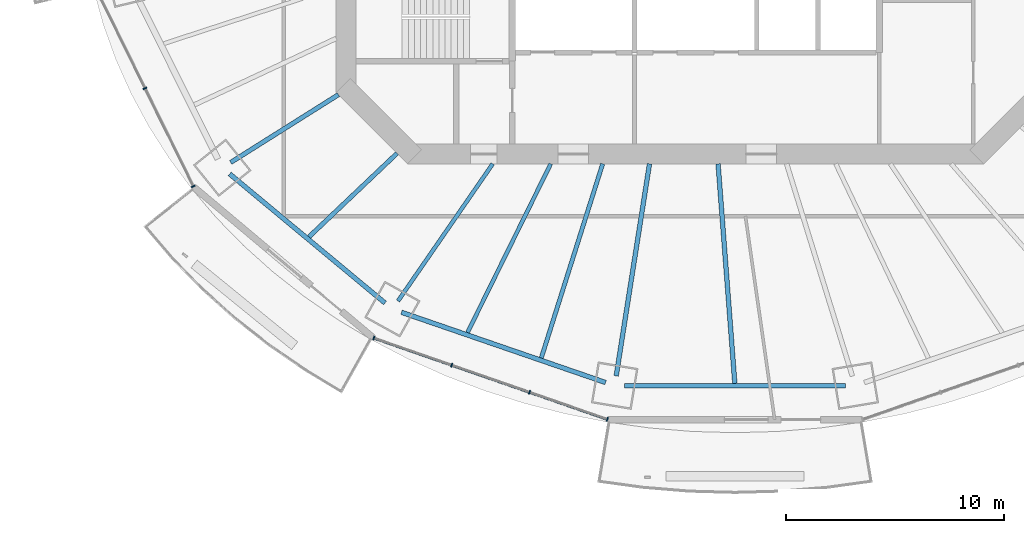
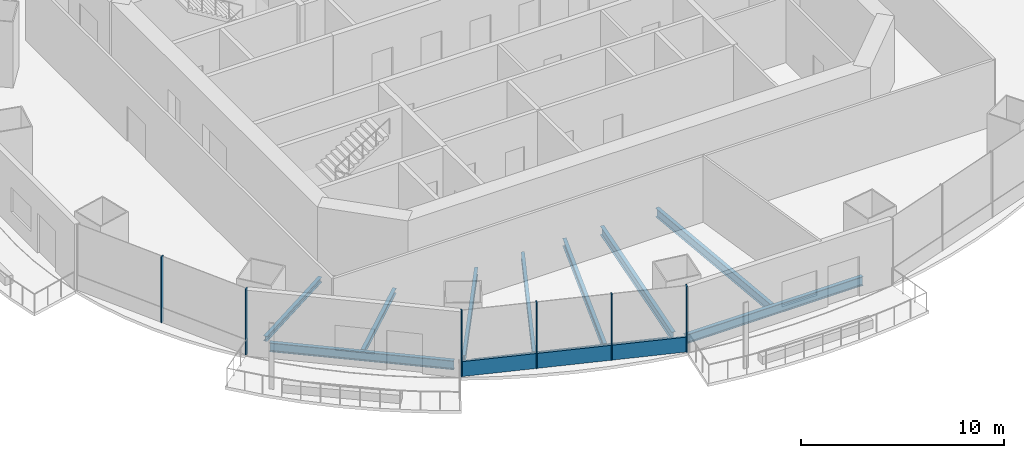
# One storey, part 2 of 19: 10 beams, 7 members, 2 elements without a shape of their own.
"""IFC4 building model written with IfcOpenShell, lengths in metres."""

import ifcopenshell
import ifcopenshell.guid

model = None  # the IFC model being written
_history = None  # IfcOwnerHistory: only IFC2X3 demands one
_inside = {}  # id of a spatial element -> (the spatial element, [elements in it])
_under = {}  # id of a project, library or spatial element -> (it, [spatial elements below it])
_declared = {}  # id of a project -> (the project, [libraries it declares])
_typed = {}  # id of a type object -> (the type object, [elements of that type])
_made_of = {}  # id of a material, layer set ... -> (it, [elements and type objects made of it])


def new_model(schema):
    """Start an empty IFC model of exactly this schema.

    Asked for "IFC4X3", IfcOpenShell would pick the latest addendum, in which some entities
    have other attributes; the version numbers below select the first issue.
    IFC2X3 requires an IfcOwnerHistory on every rooted entity: one is made here for all.
    """
    global model, _history
    if schema == "IFC4X3":
        model = ifcopenshell.file(schema_version=(4, 3, 0, 0))
    else:
        model = ifcopenshell.file(schema=schema)
    _inside.clear()
    _under.clear()
    _declared.clear()
    _typed.clear()
    _made_of.clear()
    _history = None
    if model.schema == "IFC2X3":
        org = make("IfcOrganization", Name="unknown")
        user = make(
            "IfcPersonAndOrganization",
            ThePerson=make("IfcPerson", FamilyName="unknown"),
            TheOrganization=org,
        )
        app = make(
            "IfcApplication",
            ApplicationDeveloper=org,
            Version="unknown",
            ApplicationFullName="unknown",
            ApplicationIdentifier="unknown",
        )
        _history = make(
            "IfcOwnerHistory",
            OwningUser=user,
            OwningApplication=app,
            ChangeAction="ADDED",
            CreationDate=0,
        )
    return model


def make(cls, **values):
    """One entity of the class cls with the attributes given. An attribute that is None is left unset."""
    return model.create_entity(
        cls, **{name: value for name, value in values.items() if value is not None}
    )


def rooted(cls, **values):
    """An entity with a GlobalId (a new one), such as an element, a storey or a relation."""
    return make(cls, GlobalId=ifcopenshell.guid.new(), OwnerHistory=_history, **values)


def si_unit(unit_type, name, prefix=None):
    """IfcSIUnit, for example si_unit("LENGTHUNIT", "METRE", prefix="MILLI")."""
    return make("IfcSIUnit", UnitType=unit_type, Prefix=prefix, Name=name)


def assignment(units):
    """IfcUnitAssignment: the units of a project."""
    return None if units is None else make("IfcUnitAssignment", Units=units)


def point(xyz):
    """IfcCartesianPoint."""
    return None if xyz is None else make("IfcCartesianPoint", Coordinates=xyz)


def direction(xyz):
    """IfcDirection."""
    return None if xyz is None else make("IfcDirection", DirectionRatios=xyz)


def frame(location, z_axis=None, x_axis=None):
    """IfcAxis2Placement3D, a coordinate frame: its origin and axes. An axis left out is left unset."""
    return make(
        "IfcAxis2Placement3D",
        Location=point(location),
        Axis=direction(z_axis),
        RefDirection=direction(x_axis),
    )


def frame_2d(location, x_axis=None):
    """IfcAxis2Placement2D, a coordinate frame in the plane: its origin and x axis."""
    return make(
        "IfcAxis2Placement2D", Location=point(location), RefDirection=direction(x_axis)
    )


def origin():
    """The frame at (0, 0, 0) with its axes left unset."""
    return frame((0.0, 0.0, 0.0))


def origin_2d():
    """The frame at (0, 0) in the plane with its x axis left unset."""
    return frame_2d((0.0, 0.0))


def place(relative_to, where):
    """IfcLocalPlacement: puts the frame where relative to a parent placement (None: the world)."""
    return make(
        "IfcLocalPlacement", PlacementRelTo=relative_to, RelativePlacement=where
    )


def context(
    kind, dimensions, precision=None, world=None, true_north=None, identifier=None
):
    """IfcGeometricRepresentationContext, for example the 3D "Model" context."""
    return make(
        "IfcGeometricRepresentationContext",
        ContextIdentifier=identifier,
        ContextType=kind,
        CoordinateSpaceDimension=dimensions,
        Precision=precision,
        WorldCoordinateSystem=world,
        TrueNorth=true_north,
    )


def subcontext(parent, identifier, kind, view, scale=None):
    """IfcGeometricRepresentationSubContext, for example "Body" below "Model"."""
    return make(
        "IfcGeometricRepresentationSubContext",
        ContextIdentifier=identifier,
        ContextType=kind,
        ParentContext=parent,
        TargetScale=scale,
        TargetView=view,
    )


def project(units=None, contexts=None):
    """IfcProject with its units and contexts."""
    return rooted(
        "IfcProject",
        Name="project",
        RepresentationContexts=contexts,
        UnitsInContext=assignment(units),
    )


def spatial(cls, under=None, at=None, **own):
    """A site, building, storey or space (cls), placed at a placement, below another one or the project."""
    s = rooted(cls, ObjectPlacement=at, **own)
    if under is not None:
        _under.setdefault(under.id(), (under, []))[1].append(s)
    return s


def profile(cls, at=None, kind="AREA", **sizes):
    """A parametric profile (cls). Its sizes go by their IFC names, for example OverallWidth=200.0."""
    return make(cls, ProfileType=kind, Position=at, **sizes)


def rectangle(**sizes):
    """IfcRectangleProfileDef."""
    return profile("IfcRectangleProfileDef", **sizes)


def i_section(**sizes):
    """IfcIShapeProfileDef."""
    return profile("IfcIShapeProfileDef", **sizes)


def extrude(swept, where, along, depth):
    """IfcExtrudedAreaSolid: the profile swept, set in the frame where, extruded along a direction by depth."""
    return make(
        "IfcExtrudedAreaSolid",
        SweptArea=swept,
        Position=where,
        ExtrudedDirection=direction(along),
        Depth=depth,
    )


def shape(context_of_items, identifier, shape_type, items):
    """IfcShapeRepresentation: the items that make up one representation, for example the "Body"."""
    return make(
        "IfcShapeRepresentation",
        ContextOfItems=context_of_items,
        RepresentationIdentifier=identifier,
        RepresentationType=shape_type,
        Items=items,
    )


def material(Name=None, Category=None):
    """IfcMaterial."""
    return make("IfcMaterial", Name=Name, Category=Category)


def material_profile(
    of_material, cross_section, Name=None, Category=None, Priority=None
):
    """IfcMaterialProfile: a cross section and its material."""
    return make(
        "IfcMaterialProfile",
        Name=Name,
        Material=of_material,
        Profile=cross_section,
        Priority=Priority,
        Category=Category,
    )


def profile_set(profiles, Name=None, composite=None):
    """IfcMaterialProfileSet."""
    return make(
        "IfcMaterialProfileSet",
        Name=Name,
        MaterialProfiles=profiles,
        CompositeProfile=composite,
    )


def made_of(thing, what):
    """Note that an element or type object is made of a material, layer set ...; save() writes the relation."""
    if what is not None:
        _made_of.setdefault(what.id(), (what, []))[1].append(thing)
    return thing


def type_object(cls, material=None, **own):
    """A type object (cls), such as IfcWallType, which elements share."""
    return made_of(rooted(cls, **own), material)


def element(
    cls,
    number,
    at=None,
    inside=None,
    cuts=None,
    type_object=None,
    material=None,
    context=None,
    identifier="Body",
    shape_type=None,
    held_by="IfcProductDefinitionShape",
    body=None,
    shapes=None,
    **own,
):
    """One element of the class cls, such as IfcWall. Its Tag is "e" and its number.

    at: its placement. inside: the storey or other place that contains it. cuts: it is an
    opening in that element (IfcRelVoidsElement). A single representation is given by context,
    identifier, shape_type and body (its items); several are given by shapes. held_by: the class
    of the entity that holds the representations. save() writes the other relations.
    """
    e = rooted(cls, Tag="e%d" % number, ObjectPlacement=at, **own)
    if body is not None:
        shapes = [shape(context, identifier, shape_type, body)]
    if shapes is not None:
        e.Representation = make(held_by, Representations=shapes)
    if inside is not None:
        _inside.setdefault(inside.id(), (inside, []))[1].append(e)
    if cuts is not None:
        rooted(
            "IfcRelVoidsElement", RelatingBuildingElement=cuts, RelatedOpeningElement=e
        )
    if type_object is not None:
        _typed.setdefault(type_object.id(), (type_object, []))[1].append(e)
    return made_of(e, material)


def aggregate(whole, parts):
    """IfcRelAggregates: a whole, such as a stair, and the parts it consists of."""
    return rooted("IfcRelAggregates", RelatingObject=whole, RelatedObjects=parts)


def save(model, path):
    """Write the relations noted so far, then the file.

    IfcRelAggregates (storeys below a building ...), IfcRelContainedInSpatialStructure (elements
    in a storey), IfcRelDefinesByType, IfcRelAssociatesMaterial and IfcRelDeclares: one each for
    every whole, place, type object, material and project.
    """
    for whole, parts in _under.values():
        aggregate(whole, parts)
    for where, things in _inside.values():
        rooted(
            "IfcRelContainedInSpatialStructure",
            RelatedElements=things,
            RelatingStructure=where,
        )
    for kind, things in _typed.values():
        rooted("IfcRelDefinesByType", RelatedObjects=things, RelatingType=kind)
    for what, things in _made_of.values():
        rooted("IfcRelAssociatesMaterial", RelatedObjects=things, RelatingMaterial=what)
    for by, libraries in _declared.values():
        rooted("IfcRelDeclares", RelatingContext=by, RelatedDefinitions=libraries)
    model.write(path)


model = new_model("IFC4")

# Units and contexts
model_context = context("Model", 3, precision=1e-05, world=origin(), true_north=direction((0.0, 1.0)))
body_context = subcontext(model_context, "Body", "Model", "MODEL_VIEW")
ifc_project = project(units=[si_unit("LENGTHUNIT", "METRE"), si_unit("AREAUNIT", "SQUARE_METRE"), si_unit("VOLUMEUNIT", "CUBIC_METRE"), si_unit("PLANEANGLEUNIT", "RADIAN"), si_unit("MASSUNIT", "GRAM", prefix="KILO")], contexts=[model_context])

# Site, building, storey
site_placement = place(None, origin())
site = spatial("IfcSite", under=ifc_project, at=site_placement, CompositionType="ELEMENT")
building_placement = place(site_placement, origin())
building = spatial("IfcBuilding", under=site, at=building_placement, Name="Marenthal Gate Tower", CompositionType="ELEMENT")
storey_placement = place(building_placement, frame((0.0, 0.0, 252.35009765625)))
storey = spatial("IfcBuildingStorey", under=building, at=storey_placement, Name="L56", CompositionType="ELEMENT", Elevation=252.35009765625)

# Curtain wall, members
ifc_material_1 = material(Name="Aluminium and glass", Category="aluminium")
curtain_wall_type = type_object("IfcCurtainWallType", Name="Curtain wall typical mid", PredefinedType="NOTDEFINED", material=ifc_material_1)
curtain_wall_1_placement = place(storey_placement, origin())
curtain_wall_1 = element("IfcCurtainWall", 1, at=curtain_wall_1_placement, inside=storey, type_object=curtain_wall_type, Name="Curtain wall L56 bay 9", PredefinedType="NOTDEFINED")
ifc_material_2 = material(Name="Aluminium", Category="aluminium")
ifc_material_profile_1 = material_profile(ifc_material_2, rectangle(XDim=0.179931640625, YDim=0.06005859375, at=origin_2d()), Name="60x180 aluminium mullion")
ifc_profile_set_1 = profile_set([ifc_material_profile_1], Name="Aluminium")
member_type_1 = type_object("IfcMemberType", Name="Mullion 60x180 typical mid", PredefinedType="MULLION", material=ifc_profile_set_1)
member_1_placement = place(storey_placement, frame((-25.205322265625, -9.99609375, 0.0), z_axis=(0.0, 0.0, 1.0), x_axis=(0.896882319585, 0.44226926732, 0.0)))
member_1 = element("IfcMember", 2, at=member_1_placement, type_object=member_type_1, Name="Mullion L56 bay 9.2", PredefinedType="MULLION", context=body_context, shape_type="SweptSolid", body=[
    extrude(rectangle(XDim=0.179931640625, YDim=0.06005859375, at=origin_2d()), origin(), (0.0, 0.0, 1.0), 3.969970703125),
])
member_2_placement = place(storey_placement, frame((-22.99365234375, -14.481201171875, 0.0), z_axis=(0.0, 0.0, 1.0), x_axis=(0.896882319585, 0.44226926732, 0.0)))
member_2 = element("IfcMember", 3, at=member_2_placement, type_object=member_type_1, Name="Mullion L56 bay 9.3", PredefinedType="MULLION", context=body_context, shape_type="SweptSolid", body=[
    extrude(rectangle(XDim=0.179931640625, YDim=0.06005859375, at=origin_2d()), origin(), (0.0, 0.0, 1.0), 3.969970703125),
])
aggregate(curtain_wall_1, [member_1, member_2])

curtain_wall_2_placement = place(storey_placement, origin())
curtain_wall_2 = element("IfcCurtainWall", 4, at=curtain_wall_2_placement, inside=storey, type_object=curtain_wall_type, Name="Curtain wall L56 bay 11", PredefinedType="NOTDEFINED")
member_3_placement = place(storey_placement, frame((-14.729248046875, -21.4248046875, 0.0), z_axis=(0.0, 0.0, 1.0), x_axis=(0.328612003593, 0.944465007872, 0.0)))
member_3 = element("IfcMember", 5, at=member_3_placement, type_object=member_type_1, Name="Mullion L56 bay 11.1", PredefinedType="MULLION", context=body_context, shape_type="SweptSolid", body=[
    extrude(rectangle(XDim=0.179931640625, YDim=0.06005859375, at=origin_2d()), origin(), (0.0, 0.0, 1.0), 3.969970703125),
])
member_4_placement = place(storey_placement, frame((-11.167236328125, -22.664306640625, 0.0), z_axis=(0.0, 0.0, 1.0), x_axis=(0.328612003593, 0.944465007872, 0.0)))
member_4 = element("IfcMember", 6, at=member_4_placement, type_object=member_type_1, Name="Mullion L56 bay 11.2", PredefinedType="MULLION", context=body_context, shape_type="SweptSolid", body=[
    extrude(rectangle(XDim=0.179931640625, YDim=0.06005859375, at=origin_2d()), origin(), (0.0, 0.0, 1.0), 3.969970703125),
])
member_5_placement = place(storey_placement, frame((-7.60498046875, -23.90380859375, 0.0), z_axis=(0.0, 0.0, 1.0), x_axis=(0.328612003593, 0.944465007872, 0.0)))
member_5 = element("IfcMember", 7, at=member_5_placement, type_object=member_type_1, Name="Mullion L56 bay 11.3", PredefinedType="MULLION", context=body_context, shape_type="SweptSolid", body=[
    extrude(rectangle(XDim=0.179931640625, YDim=0.06005859375, at=origin_2d()), origin(), (0.0, 0.0, 1.0), 3.969970703125),
])
member_6_placement = place(storey_placement, frame((-4.042724609375, -25.14306640625, 0.0), z_axis=(0.0, 0.0, 1.0), x_axis=(0.328612003593, 0.944465007872, 0.0)))
member_6 = element("IfcMember", 8, at=member_6_placement, type_object=member_type_1, Name="Mullion L56 bay 11.4", PredefinedType="MULLION", context=body_context, shape_type="SweptSolid", body=[
    extrude(rectangle(XDim=0.179931640625, YDim=0.06005859375, at=origin_2d()), origin(), (0.0, 0.0, 1.0), 3.969970703125),
])
ifc_material_3 = material(Name="Aluminium", Category="aluminium")
ifc_material_profile_2 = material_profile(ifc_material_3, rectangle(XDim=0.1201171875, YDim=0.89990234375, at=origin_2d()), Name="120x900 aluminium transom")
ifc_profile_set_2 = profile_set([ifc_material_profile_2], Name="Aluminium")
member_type_2 = type_object("IfcMemberType", Name="Transom 120x900 typical mid", PredefinedType="USERDEFINED", material=ifc_profile_set_2)
member_7_placement = place(storey_placement, frame((-14.700927734375, -21.434814453125, 0.449951171875), z_axis=(0.944465479989, -0.328610646678, 0.0), x_axis=(0.328610646678, 0.944465479989, 0.0)))
member_7 = element("IfcMember", 9, at=member_7_placement, type_object=member_type_2, Name="Transom L56 bay 11", ObjectType="TRANSOM", PredefinedType="USERDEFINED", context=body_context, shape_type="SweptSolid", body=[
    extrude(rectangle(XDim=0.1201171875, YDim=0.89990234375, at=origin_2d()), origin(), (0.0, 0.0, 1.0), 11.2548828125),
])
aggregate(curtain_wall_2, [member_3, member_4, member_5, member_6, member_7])

# Beams
ifc_material_4 = material(Name="Steel S355", Category="steel")
ifc_material_profile_3 = material_profile(ifc_material_4, i_section(OverallWidth=0.202880859375, OverallDepth=0.302001953125, WebThickness=0.007568359375, FlangeThickness=0.01318359375, FilletRadius=0.0126953125, at=origin_2d()), Name="W310X60")
ifc_profile_set_3 = profile_set([ifc_material_profile_3], Name="Steel S355")
beam_type_1 = type_object("IfcBeamType", Name="W310X60 beam", PredefinedType="BEAM", material=ifc_profile_set_3)
beam_1_placement = place(storey_placement, frame((-17.69580078125, -16.792236328125, -0.3310546875), z_axis=(0.725392221284, 0.688335764943, 0.0), x_axis=(-0.688335764943, 0.725392221284, 0.0)))
element("IfcBeam", 10, at=beam_1_placement, inside=storey, type_object=beam_type_1, Name="BM-L56-31", PredefinedType="BEAM", context=body_context, shape_type="SweptSolid", body=[
    extrude(i_section(OverallWidth=0.202880859375, OverallDepth=0.302001953125, WebThickness=0.007568359375, FlangeThickness=0.01318359375, FilletRadius=0.0126953125, at=origin_2d()), origin(), (0.0, 0.0, 1.0), 5.553955078125),
])
ifc_material_5 = material(Name="Steel S355", Category="steel")
ifc_material_profile_4 = material_profile(ifc_material_5, i_section(OverallWidth=0.205078125, OverallDepth=0.31005859375, WebThickness=0.009521484375, FlangeThickness=0.016357421875, FilletRadius=0.0126953125, at=origin_2d()), Name="W310X74")
ifc_profile_set_4 = profile_set([ifc_material_profile_4], Name="Steel S355")
beam_type_2 = type_object("IfcBeamType", Name="W310X74 beam", PredefinedType="BEAM", material=ifc_profile_set_4)
beam_2_placement = place(storey_placement, frame((-21.2802734375, -13.38720703125, -0.335205078125), z_axis=(0.846430888561, 0.532498592383, 0.0), x_axis=(-0.532498592383, 0.846430888561, 0.0)))
element("IfcBeam", 11, at=beam_2_placement, inside=storey, type_object=beam_type_2, Name="BM-L56-10", PredefinedType="BEAM", context=body_context, shape_type="SweptSolid", body=[
    extrude(i_section(OverallWidth=0.205078125, OverallDepth=0.31005859375, WebThickness=0.009521484375, FlangeThickness=0.016357421875, FilletRadius=0.0126953125, at=origin_2d()), origin(), (0.0, 0.0, 1.0), 5.823974609375),
])
ifc_material_6 = material(Name="Steel S355", Category="steel")
ifc_material_profile_5 = material_profile(ifc_material_6, i_section(OverallWidth=0.180908203125, OverallDepth=0.4169921875, WebThickness=0.010986328125, FlangeThickness=0.018310546875, FilletRadius=0.01025390625, at=origin_2d()), Name="W410X85")
ifc_profile_set_5 = profile_set([ifc_material_profile_5], Name="Steel S355")
beam_type_3 = type_object("IfcBeamType", Name="W410X85 beam", PredefinedType="BEAM", material=ifc_profile_set_5)
beam_3_placement = place(storey_placement, frame((-13.62158203125, -19.727294921875, -0.388671875), z_axis=(0.568201036983, 0.822889774862, 0.0), x_axis=(-0.822889774862, 0.568201036983, 0.0)))
element("IfcBeam", 12, at=beam_3_placement, inside=storey, type_object=beam_type_3, Name="BM-L56-11", PredefinedType="BEAM", context=body_context, shape_type="SweptSolid", body=[
    extrude(i_section(OverallWidth=0.180908203125, OverallDepth=0.4169921875, WebThickness=0.010986328125, FlangeThickness=0.018310546875, FilletRadius=0.01025390625, at=origin_2d()), origin(), (0.0, 0.0, 1.0), 7.62841796875),
])
beam_4_placement = place(storey_placement, frame((-10.44140625, -21.1728515625, -0.388671875), z_axis=(0.442296233043, 0.896869021784, 0.0), x_axis=(-0.896869021784, 0.442296233043, 0.0)))
element("IfcBeam", 13, at=beam_4_placement, inside=storey, type_object=beam_type_3, Name="BM-L56-32", PredefinedType="BEAM", context=body_context, shape_type="SweptSolid", body=[
    extrude(i_section(OverallWidth=0.180908203125, OverallDepth=0.4169921875, WebThickness=0.010986328125, FlangeThickness=0.018310546875, FilletRadius=0.01025390625, at=origin_2d()), origin(), (0.0, 0.0, 1.0), 8.61083984375),
])
ifc_material_7 = material(Name="Steel S355", Category="steel")
ifc_material_profile_6 = material_profile(ifc_material_7, i_section(OverallWidth=0.193115234375, OverallDepth=0.467041015625, WebThickness=0.011474609375, FlangeThickness=0.01904296875, FilletRadius=0.010009765625, at=origin_2d()), Name="W460X97")
ifc_profile_set_6 = profile_set([ifc_material_profile_6], Name="Steel S355")
beam_type_4 = type_object("IfcBeamType", Name="W460X97 beam", PredefinedType="BEAM", material=ifc_profile_set_6)
beam_5_placement = place(storey_placement, frame((-7.065185546875, -22.3349609375, -0.41357421875), z_axis=(0.301595247425, 0.953436052775, 0.0), x_axis=(-0.953436052775, 0.301595247425, 0.0)))
element("IfcBeam", 14, at=beam_5_placement, inside=storey, type_object=beam_type_4, Name="BM-L56-33", PredefinedType="BEAM", context=body_context, shape_type="SweptSolid", body=[
    extrude(i_section(OverallWidth=0.193115234375, OverallDepth=0.467041015625, WebThickness=0.011474609375, FlangeThickness=0.01904296875, FilletRadius=0.010009765625, at=origin_2d()), origin(), (0.0, 0.0, 1.0), 9.31884765625),
])
ifc_material_8 = material(Name="Steel S355", Category="steel")
ifc_material_profile_7 = material_profile(ifc_material_8, i_section(OverallWidth=0.2099609375, OverallDepth=0.535888671875, WebThickness=0.010986328125, FlangeThickness=0.017333984375, FilletRadius=0.0126953125, at=origin_2d()), Name="W530X101")
ifc_profile_set_7 = profile_set([ifc_material_profile_7], Name="Steel S355")
beam_type_5 = type_object("IfcBeamType", Name="W530X101 beam", PredefinedType="BEAM", material=ifc_profile_set_7)
beam_6_placement = place(storey_placement, frame((-3.63623046875, -23.15869140625, -0.447998046875), z_axis=(0.15511419116, 0.987896547064, 0.0), x_axis=(-0.987896547064, 0.15511419116, 0.0)))
element("IfcBeam", 15, at=beam_6_placement, inside=storey, type_object=beam_type_5, Name="BM-L56-12", PredefinedType="BEAM", context=body_context, shape_type="SweptSolid", body=[
    extrude(i_section(OverallWidth=0.2099609375, OverallDepth=0.535888671875, WebThickness=0.010986328125, FlangeThickness=0.017333984375, FilletRadius=0.0126953125, at=origin_2d()), origin(), (0.0, 0.0, 1.0), 9.82763671875),
])
beam_7_placement = place(storey_placement, frame((1.7919921875, -23.497314453125, -0.447998046875), z_axis=(-0.076053569959, 0.997103733067, 0.0), x_axis=(-0.997103733067, -0.076053569959, 0.0)))
element("IfcBeam", 16, at=beam_7_placement, inside=storey, type_object=beam_type_5, Name="BM-L56-34", PredefinedType="BEAM", context=body_context, shape_type="SweptSolid", body=[
    extrude(i_section(OverallWidth=0.2099609375, OverallDepth=0.535888671875, WebThickness=0.010986328125, FlangeThickness=0.017333984375, FilletRadius=0.0126953125, at=origin_2d()), origin(), (0.0, 0.0, 1.0), 10.07666015625),
])
ifc_material_9 = material(Name="Steel S355", Category="steel")
ifc_material_profile_8 = material_profile(ifc_material_9, i_section(OverallWidth=0.2119140625, OverallDepth=0.5439453125, WebThickness=0.01318359375, FlangeThickness=0.021240234375, FilletRadius=0.0126953125, at=origin_2d()), Name="W530X123")
ifc_profile_set_8 = profile_set([ifc_material_profile_8], Name="Steel S355")
beam_type_6 = type_object("IfcBeamType", Name="W530X123 beam", PredefinedType="BEAM", material=ifc_profile_set_8)
beam_8_placement = place(storey_placement, frame((-21.3251953125, -13.9140625, -0.4521484375), z_axis=(0.769104243953, -0.639123354239, 0.0), x_axis=(0.639123354239, 0.769104243953, 0.0)))
element("IfcBeam", 17, at=beam_8_placement, inside=storey, type_object=beam_type_6, Name="BM-L56-50", PredefinedType="BEAM", context=body_context, shape_type="SweptSolid", body=[
    extrude(i_section(OverallWidth=0.2119140625, OverallDepth=0.5439453125, WebThickness=0.01318359375, FlangeThickness=0.021240234375, FilletRadius=0.0126953125, at=origin_2d()), origin(), (0.0, 0.0, 1.0), 9.2392578125),
])
beam_9_placement = place(storey_placement, frame((-13.46435546875, -20.244384765625, -0.4521484375), z_axis=(0.94555241885, -0.325469849919, 0.0), x_axis=(0.325469849919, 0.94555241885, 0.0)))
element("IfcBeam", 18, at=beam_9_placement, inside=storey, type_object=beam_type_6, Name="BM-L56-51", PredefinedType="BEAM", context=body_context, shape_type="SweptSolid", body=[
    extrude(i_section(OverallWidth=0.2119140625, OverallDepth=0.5439453125, WebThickness=0.01318359375, FlangeThickness=0.021240234375, FilletRadius=0.0126953125, at=origin_2d()), origin(), (0.0, 0.0, 1.0), 9.882080078125),
])
beam_10_placement = place(storey_placement, frame((-3.268310546875, -23.603271484375, -0.4521484375), z_axis=(1.0, 0.0, 0.0), x_axis=(0.0, 1.0, 0.0)))
element("IfcBeam", 19, at=beam_10_placement, inside=storey, type_object=beam_type_6, Name="BM-L56-52", PredefinedType="BEAM", context=body_context, shape_type="SweptSolid", body=[
    extrude(i_section(OverallWidth=0.2119140625, OverallDepth=0.5439453125, WebThickness=0.01318359375, FlangeThickness=0.021240234375, FilletRadius=0.0126953125, at=origin_2d()), origin(), (0.0, 0.0, 1.0), 10.13671875),
])

save(model, "model.ifc")
